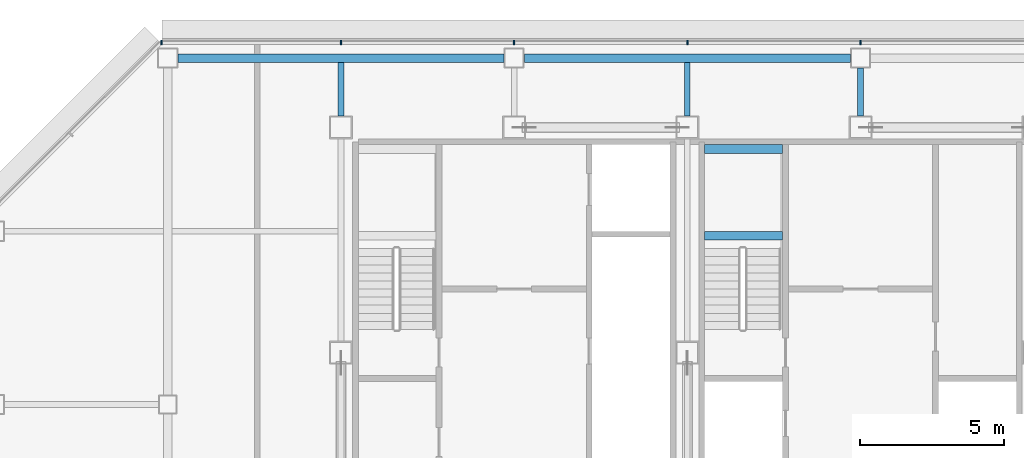
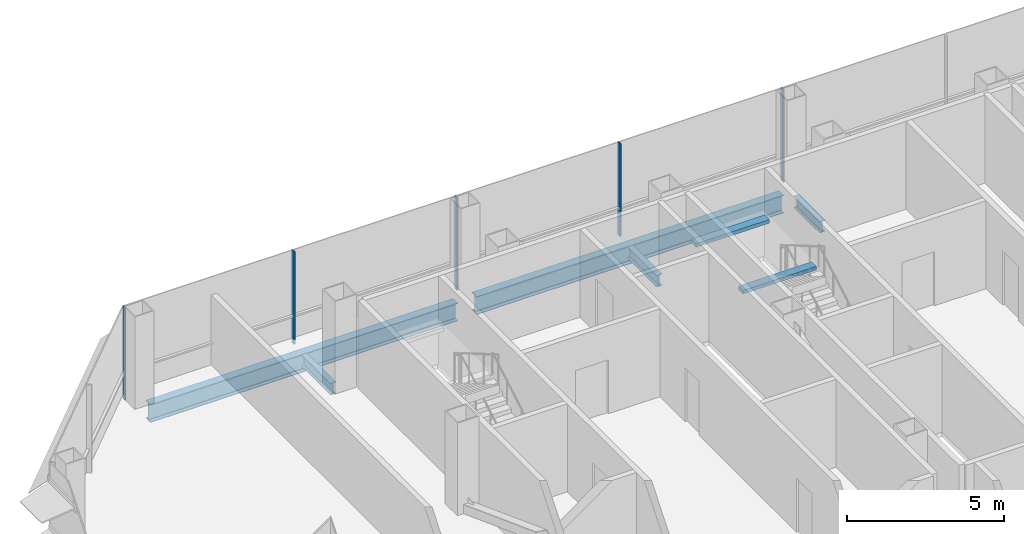
# One storey, part 12 of 24: 7 beams, 5 members, 1 element without a shape of its own.
"""IFC4 building model written with IfcOpenShell, lengths in metres."""

from ifc_helpers import new_model, si_unit, direction, frame, origin, origin_2d, place, context, subcontext, project, spatial, rectangle, i_section, extrude, material, material_profile, profile_set, type_object, element, aggregate, save


model = new_model("IFC4")

# Units and contexts
model_context = context("Model", 3, precision=1e-05, world=origin(), true_north=direction((0.0, 1.0)))
body_context = subcontext(model_context, "Body", "Model", "MODEL_VIEW")
ifc_project = project(units=[si_unit("LENGTHUNIT", "METRE"), si_unit("AREAUNIT", "SQUARE_METRE"), si_unit("VOLUMEUNIT", "CUBIC_METRE"), si_unit("PLANEANGLEUNIT", "RADIAN"), si_unit("MASSUNIT", "GRAM", prefix="KILO")], contexts=[model_context])

# Site, building, storey
site_placement = place(None, origin())
site = spatial("IfcSite", under=ifc_project, at=site_placement, CompositionType="ELEMENT")
building_placement = place(site_placement, origin())
building = spatial("IfcBuilding", under=site, at=building_placement, Name="Sorahane Residences", CompositionType="ELEMENT")
storey_placement = place(building_placement, frame((0.0, 0.0, 178.0)))
storey = spatial("IfcBuildingStorey", under=building, at=storey_placement, Name="L41", CompositionType="ELEMENT", Elevation=178.0)

# Curtain wall, members
ifc_material_1 = material(Name="Dark low-e glass and black anodised aluminium", Category="aluminium")
curtain_wall_type = type_object("IfcCurtainWallType", Name="Curtain wall CW-1 Typical unitised wall", PredefinedType="NOTDEFINED", material=ifc_material_1)
curtain_wall_placement = place(storey_placement, origin())
curtain_wall = element("IfcCurtainWall", 1, at=curtain_wall_placement, inside=storey, type_object=curtain_wall_type, Name="CW-1 curtain wall L41 N1", PredefinedType="NOTDEFINED")
ifc_material_2 = material(Name="Black anodised aluminium", Category="aluminium")
ifc_material_profile_1 = material_profile(ifc_material_2, rectangle(XDim=0.159912109375, YDim=0.050048828125, at=origin_2d()), Name="Curtain wall mullion CW-1 black anodised aluminium 50x160")
ifc_profile_set_1 = profile_set([ifc_material_profile_1], Name="Black anodised aluminium")
member_type = type_object("IfcMemberType", Name="Curtain wall mullion CW-1 black anodised aluminium 50x160", PredefinedType="MULLION", material=ifc_profile_set_1)
member_1_placement = place(storey_placement, frame((24.0, 48.5400390625, -0.179931640625), z_axis=(0.0, 0.0, 1.0), x_axis=(0.0, 1.0, 0.0)))
member_1 = element("IfcMember", 2, at=member_1_placement, type_object=member_type, Name="CW-1 mullion L41 N1.6", PredefinedType="MULLION", context=body_context, shape_type="SweptSolid", body=[
    extrude(rectangle(XDim=0.159912109375, YDim=0.050048828125, at=origin_2d()), origin(), (0.0, 0.0, 1.0), 3.599853515625),
])
member_2_placement = place(storey_placement, frame((18.0, 48.5400390625, -0.179931640625), z_axis=(0.0, 0.0, 1.0), x_axis=(0.0, 1.0, 0.0)))
member_2 = element("IfcMember", 3, at=member_2_placement, type_object=member_type, Name="CW-1 mullion L41 N1.7", PredefinedType="MULLION", context=body_context, shape_type="SweptSolid", body=[
    extrude(rectangle(XDim=0.159912109375, YDim=0.050048828125, at=origin_2d()), origin(), (0.0, 0.0, 1.0), 3.599853515625),
])
member_3_placement = place(storey_placement, frame((12.0, 48.5400390625, -0.179931640625), z_axis=(0.0, 0.0, 1.0), x_axis=(0.0, 1.0, 0.0)))
member_3 = element("IfcMember", 4, at=member_3_placement, type_object=member_type, Name="CW-1 mullion L41 N1.8", PredefinedType="MULLION", context=body_context, shape_type="SweptSolid", body=[
    extrude(rectangle(XDim=0.159912109375, YDim=0.050048828125, at=origin_2d()), origin(), (0.0, 0.0, 1.0), 3.599853515625),
])
member_4_placement = place(storey_placement, frame((6.0, 48.5400390625, -0.179931640625), z_axis=(0.0, 0.0, 1.0), x_axis=(0.0, 1.0, 0.0)))
member_4 = element("IfcMember", 5, at=member_4_placement, type_object=member_type, Name="CW-1 mullion L41 N1.9", PredefinedType="MULLION", context=body_context, shape_type="SweptSolid", body=[
    extrude(rectangle(XDim=0.159912109375, YDim=0.050048828125, at=origin_2d()), origin(), (0.0, 0.0, 1.0), 3.599853515625),
])
member_5_placement = place(storey_placement, frame((-0.2236328125, 48.5400390625, -0.179931640625), z_axis=(0.0, 0.0, 1.0), x_axis=(0.0, 1.0, 0.0)))
member_5 = element("IfcMember", 6, at=member_5_placement, type_object=member_type, Name="CW-1 mullion L41 N1.10", PredefinedType="MULLION", context=body_context, shape_type="SweptSolid", body=[
    extrude(rectangle(XDim=0.159912109375, YDim=0.050048828125, at=origin_2d()), origin(), (0.0, 0.0, 1.0), 3.599853515625),
])
aggregate(curtain_wall, [member_1, member_2, member_3, member_4, member_5])

# Beams
ifc_material_3 = material(Name="Concrete C40", Category="concrete")
ifc_material_profile_2 = material_profile(ifc_material_3, rectangle(XDim=0.300048828125, YDim=0.139892578125, at=origin_2d()), Name="300x140")
ifc_profile_set_2 = profile_set([ifc_material_profile_2], Name="Concrete C40")
beam_type_1 = type_object("IfcBeamType", Name="RC landing beam 300 x 140 Concrete C40", PredefinedType="BEAM", material=ifc_profile_set_2)
for number, where, z_axis, x_axis, name in (
    (7, (18.60009765625, 41.85009765625, 1.530029296875), (1.0, 0.0, 0.0), (0.0, 1.0, 0.0), "Landing beam"),
    (8, (18.60009765625, 44.85009765625, 1.530029296875), (1.0, 0.0, 0.0), (0.0, 1.0, 0.0), "Landing beam"),
):
    element("IfcBeam", number, at=place(storey_placement, frame(where, z_axis=z_axis, x_axis=x_axis)), inside=storey, type_object=beam_type_1, Name=name, PredefinedType="BEAM", context=body_context, shape_type="SweptSolid", body=[
        extrude(rectangle(XDim=0.300048828125, YDim=0.139892578125, at=origin_2d()), origin(), (0.0, 0.0, 1.0), 2.699951171875),
    ])
ifc_material_4 = material(Name="Steel Q355B", Category="steel")
ifc_material_profile_3 = material_profile(ifc_material_4, i_section(OverallWidth=0.199951171875, OverallDepth=0.449951171875, WebThickness=0.009033203125, FlangeThickness=0.013916015625, FilletRadius=0.02001953125, at=origin_2d()), Name="HN 450x200x9x14")
ifc_profile_set_3 = profile_set([ifc_material_profile_3], Name="Steel Q355B")
beam_type_2 = type_object("IfcBeamType", Name="Steel floor beam HN 450x200x9x14 Q355B", PredefinedType="BEAM", material=ifc_profile_set_3)
for number, where, z_axis, x_axis, name in (
    (9, (6.0, 46.0, -0.405029296875), (0.0, 1.0, 0.0), (-1.0, 0.0, 0.0), "Beam L41 033"),
    (10, (18.0, 46.0, -0.405029296875), (0.0, 1.0, 0.0), (-1.0, 0.0, 0.0), "Beam L41 041"),
):
    element("IfcBeam", number, at=place(storey_placement, frame(where, z_axis=z_axis, x_axis=x_axis)), inside=storey, type_object=beam_type_2, Name=name, PredefinedType="BEAM", context=body_context, shape_type="SweptSolid", body=[
        extrude(i_section(OverallWidth=0.199951171875, OverallDepth=0.449951171875, WebThickness=0.009033203125, FlangeThickness=0.013916015625, FilletRadius=0.02001953125, at=origin_2d()), origin(), (0.0, 0.0, 1.0), 1.85009765625),
    ])
beam_placement = place(storey_placement, frame((24.0, 46.0, -0.405029296875), z_axis=(0.0, 1.0, 0.0), x_axis=(-1.0, 0.0, 0.0)))
element("IfcBeam", 11, at=beam_placement, inside=storey, type_object=beam_type_2, Name="Beam L41 043", PredefinedType="BEAM", context=body_context, shape_type="SweptSolid", body=[
    extrude(i_section(OverallWidth=0.199951171875, OverallDepth=0.449951171875, WebThickness=0.009033203125, FlangeThickness=0.013916015625, FilletRadius=0.02001953125, at=origin_2d()), origin(), (0.0, 0.0, 1.0), 1.64990234375),
])
ifc_material_5 = material(Name="Steel Q355B", Category="steel")
ifc_material_profile_4 = material_profile(ifc_material_5, i_section(OverallWidth=0.300048828125, OverallDepth=0.699951171875, WebThickness=0.012939453125, FlangeThickness=0.02392578125, FilletRadius=0.028076171875, at=origin_2d()), Name="HN 700x300x13x24")
ifc_profile_set_4 = profile_set([ifc_material_profile_4], Name="Steel Q355B")
beam_type_3 = type_object("IfcBeamType", Name="Steel floor beam HN 700x300x13x24 Q355B", PredefinedType="BEAM", material=ifc_profile_set_4)
for number, where, z_axis, x_axis, name in (
    (12, (0.35009765625, 48.0, -0.530029296875), (1.0, 0.0, 0.0), (0.0, 1.0, 0.0), "Beam L41 015"),
    (13, (12.35009765625, 48.0, -0.530029296875), (1.0, 0.0, 0.0), (0.0, 1.0, 0.0), "Beam L41 016"),
):
    element("IfcBeam", number, at=place(storey_placement, frame(where, z_axis=z_axis, x_axis=x_axis)), inside=storey, type_object=beam_type_3, Name=name, PredefinedType="BEAM", context=body_context, shape_type="SweptSolid", body=[
        extrude(i_section(OverallWidth=0.300048828125, OverallDepth=0.699951171875, WebThickness=0.012939453125, FlangeThickness=0.02392578125, FilletRadius=0.028076171875, at=origin_2d()), origin(), (0.0, 0.0, 1.0), 11.2998046875),
    ])

save(model, "model.ifc")
